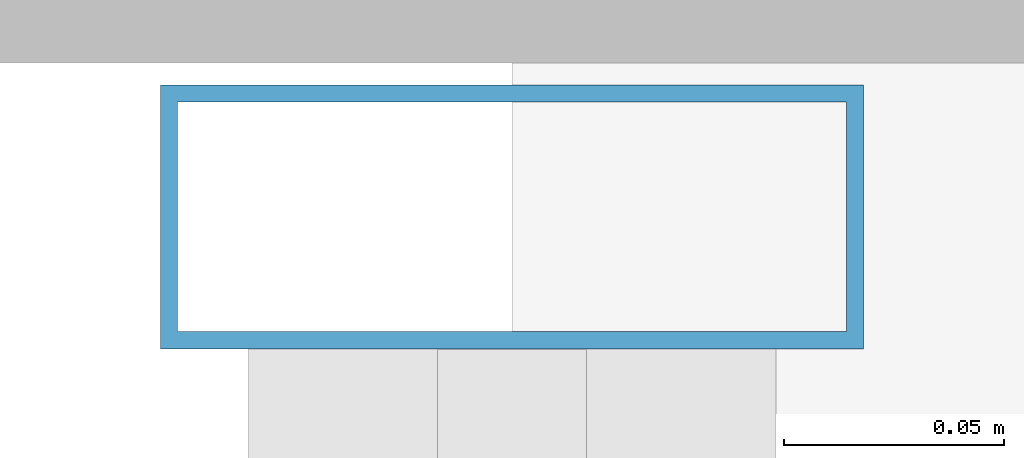
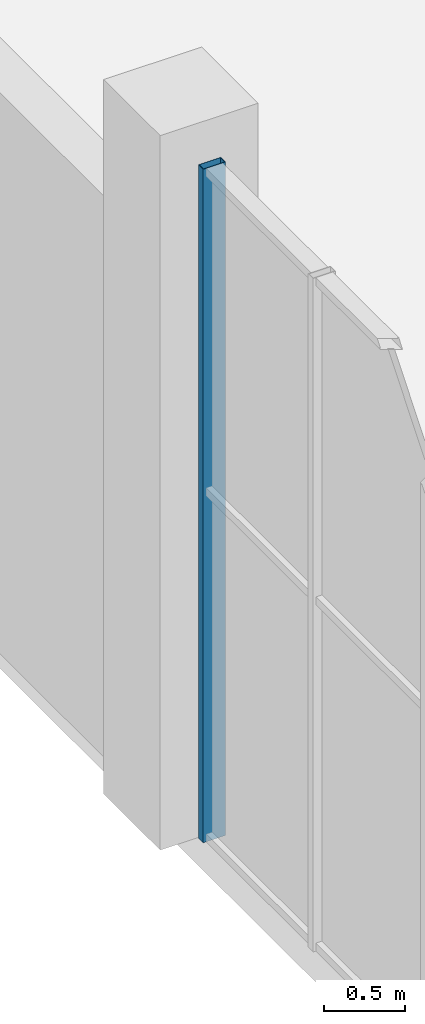
# One storey, part 13 of 91: 1 member, 1 element without a shape of its own.
"""IFC4 building model written with IfcOpenShell, lengths in metres."""

from ifc_helpers import new_model, si_unit, direction, frame, origin, origin_2d, place, context, subcontext, project, spatial, hollow_rectangle, extrude, material, material_profile, profile_set, type_object, element, aggregate, save


model = new_model("IFC4")

# Units and contexts
model_context = context("Model", 3, precision=1e-05, world=origin(), true_north=direction((0.0, 1.0)))
body_context = subcontext(model_context, "Body", "Model", "MODEL_VIEW")
ifc_project = project(units=[si_unit("LENGTHUNIT", "METRE"), si_unit("AREAUNIT", "SQUARE_METRE"), si_unit("VOLUMEUNIT", "CUBIC_METRE"), si_unit("PLANEANGLEUNIT", "RADIAN"), si_unit("MASSUNIT", "GRAM", prefix="KILO")], contexts=[model_context])

# Site, building, storey
site_placement = place(None, origin())
site = spatial("IfcSite", under=ifc_project, at=site_placement, CompositionType="ELEMENT")
building_placement = place(site_placement, origin())
building = spatial("IfcBuilding", under=site, at=building_placement, Name="Khurvash Pelagic Aquarium", CompositionType="ELEMENT")
storey_placement = place(building_placement, origin())
storey = spatial("IfcBuildingStorey", under=building, at=storey_placement, Name="L00", CompositionType="ELEMENT", Elevation=0.0)

# Curtain wall, member
ifc_material_1 = material(Name="Anodised aluminium and low-E laminated glass", Category="aluminium")
curtain_wall_type = type_object("IfcCurtainWallType", Name="CW-05", PredefinedType="USERDEFINED", material=ifc_material_1)
curtain_wall_placement = place(storey_placement, origin())
curtain_wall = element("IfcCurtainWall", 1, at=curtain_wall_placement, inside=storey, type_object=curtain_wall_type, Name="L00 Facade Unitised Curtain Wall CW-05 0072", ObjectType="UNITISED CURTAIN WALL", PredefinedType="USERDEFINED")
ifc_material_2 = material(Name="Extruded aluminium AW-6063-T6", Category="aluminium")
ifc_material_profile = material_profile(ifc_material_2, hollow_rectangle(XDim=0.06005859375, YDim=0.159912109375, WallThickness=0.00390625, at=origin_2d()), Name="CWM60X160X4")
ifc_profile_set = profile_set([ifc_material_profile], Name="Extruded aluminium AW-6063-T6")
member_type = type_object("IfcMemberType", Name="CM-02", PredefinedType="MULLION", material=ifc_profile_set)
member_placement = place(storey_placement, frame((16.800048828125, 47.465087890625, 0.0), z_axis=(0.0, 0.0, 1.0), x_axis=(0.0, -1.0, 0.0)))
member = element("IfcMember", 2, at=member_placement, type_object=member_type, Name="CW-05 mullion 1", PredefinedType="MULLION", context=body_context, shape_type="SweptSolid", body=[
    extrude(hollow_rectangle(XDim=0.06005859375, YDim=0.159912109375, WallThickness=0.00390625, at=origin_2d()), origin(), (0.0, 0.0, 1.0), 5.090087890625),
])
aggregate(curtain_wall, [member])

save(model, "model.ifc")
